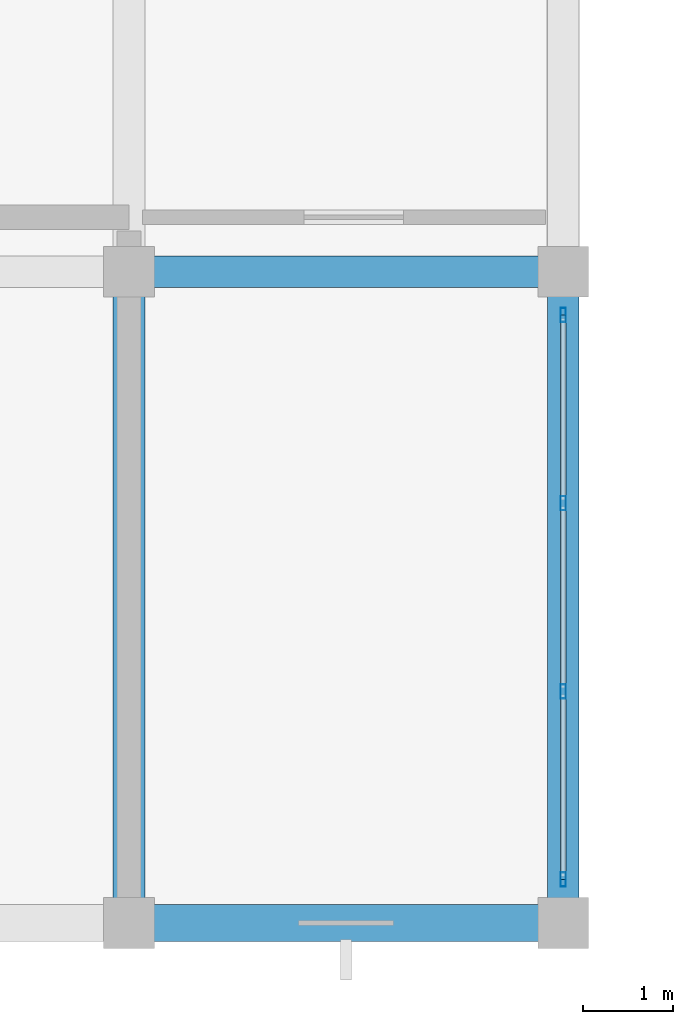
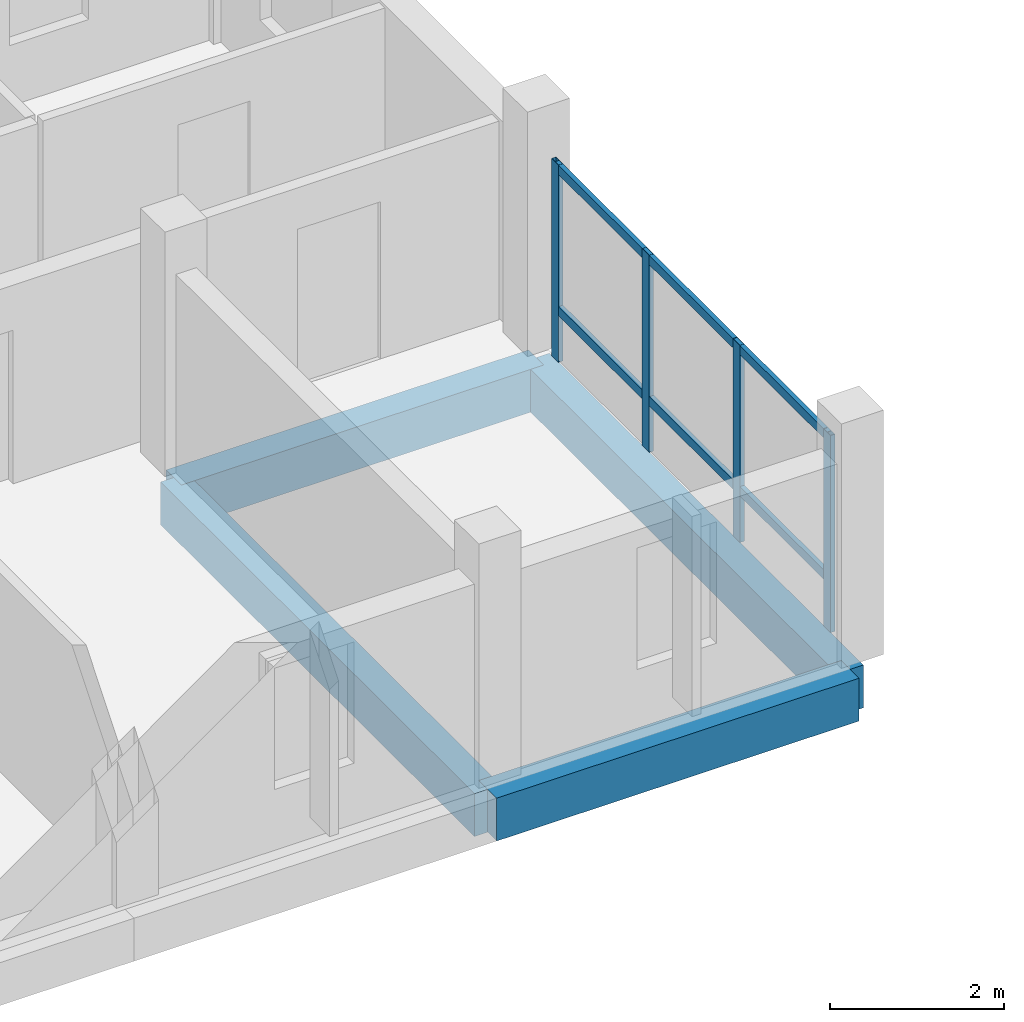
# One storey, part 11 of 66: 6 members, 4 beams, 1 element without a shape of its own.
"""IFC4 building model written with IfcOpenShell, lengths in metres."""

from ifc_helpers import new_model, si_unit, direction, frame, origin, origin_2d, place, context, subcontext, project, spatial, rectangle, hollow_rectangle, extrude, material, material_profile, profile_set, type_object, element, aggregate, save


model = new_model("IFC4")

# Units and contexts
model_context = context("Model", 3, precision=1e-05, world=origin(), true_north=direction((0.0, 1.0)))
body_context = subcontext(model_context, "Body", "Model", "MODEL_VIEW")
ifc_project = project(units=[si_unit("LENGTHUNIT", "METRE"), si_unit("AREAUNIT", "SQUARE_METRE"), si_unit("VOLUMEUNIT", "CUBIC_METRE"), si_unit("PLANEANGLEUNIT", "RADIAN"), si_unit("MASSUNIT", "GRAM", prefix="KILO")], contexts=[model_context])

# Site, building, storey
site_placement = place(None, origin())
site = spatial("IfcSite", under=ifc_project, at=site_placement, CompositionType="ELEMENT")
building_placement = place(site_placement, origin())
building = spatial("IfcBuilding", under=site, at=building_placement, Name="Zornivar Specialist Clinic", CompositionType="ELEMENT")
storey_placement = place(building_placement, frame((0.0, 0.0, 16.0)))
storey = spatial("IfcBuildingStorey", under=building, at=storey_placement, Name="L04", CompositionType="ELEMENT", Elevation=16.0)

# Beams
ifc_material_1 = material(Name="Concrete C30/37", Category="concrete")
ifc_material_profile_1 = material_profile(ifc_material_1, rectangle(XDim=0.35009765625, YDim=0.60009765625, at=origin_2d()), Name="RC 350x600")
ifc_profile_set_1 = profile_set([ifc_material_profile_1], Name="Concrete C30/37")
beam_type_1 = type_object("IfcBeamType", Name="BM-RC-350x600", PredefinedType="BEAM", material=ifc_profile_set_1)
beam_1_placement = place(storey_placement, frame((33.60009765625, 7.199951171875, -0.580078125), z_axis=(1.0, 0.0, 0.0), x_axis=(0.0, 1.0, 0.0)))
element("IfcBeam", 1, at=beam_1_placement, inside=storey, type_object=beam_type_1, Name="bm:V2:L04:x:72:5", PredefinedType="BEAM", context=body_context, shape_type="SweptSolid", body=[
    extrude(rectangle(XDim=0.35009765625, YDim=0.60009765625, at=origin_2d()), origin(), (0.0, 0.0, 1.0), 4.7998046875),
])
for number, where, z_axis, x_axis, name in (
    (2, (33.60009765625, 0.0, -0.580078125), (0.0, 1.0, 0.0), (-1.0, 0.0, 0.0), "bm:V2:L04:y:336:0"),
    (3, (38.39990234375, 0.0, -0.580078125), (0.0, 1.0, 0.0), (-1.0, 0.0, 0.0), "bm:V2:L04:y:384:0"),
):
    element("IfcBeam", number, at=place(storey_placement, frame(where, z_axis=z_axis, x_axis=x_axis)), inside=storey, type_object=beam_type_1, Name=name, PredefinedType="BEAM", context=body_context, shape_type="SweptSolid", body=[
        extrude(rectangle(XDim=0.35009765625, YDim=0.60009765625, at=origin_2d()), origin(), (0.0, 0.0, 1.0), 7.199951171875),
    ])
ifc_material_2 = material(Name="Concrete C30/37", Category="concrete")
ifc_material_profile_2 = material_profile(ifc_material_2, rectangle(XDim=0.409912109375, YDim=0.60009765625, at=origin_2d()), Name="RC 410x600")
ifc_profile_set_2 = profile_set([ifc_material_profile_2], Name="Concrete C30/37")
beam_type_2 = type_object("IfcBeamType", Name="BM-RC-SPANDREL-410x600", PredefinedType="SPANDREL", material=ifc_profile_set_2)
beam_2_placement = place(storey_placement, frame((33.60009765625, 0.0, -0.580078125), z_axis=(1.0, 0.0, 0.0), x_axis=(0.0, 1.0, 0.0)))
element("IfcBeam", 4, at=beam_2_placement, inside=storey, type_object=beam_type_2, Name="bm:V2:L04:x:0:5", PredefinedType="SPANDREL", context=body_context, shape_type="SweptSolid", body=[
    extrude(rectangle(XDim=0.409912109375, YDim=0.60009765625, at=origin_2d()), origin(), (0.0, 0.0, 1.0), 4.7998046875),
])

# Curtain wall, members
ifc_material_3 = material(Name="Aluminium and Low-E Glass Curtain Wall", Category="aluminium")
curtain_wall_type = type_object("IfcCurtainWallType", Name="CW-REVAK-COURT", PredefinedType="NOTDEFINED", material=ifc_material_3)
curtain_wall_placement = place(storey_placement, origin())
curtain_wall = element("IfcCurtainWall", 5, at=curtain_wall_placement, inside=storey, type_object=curtain_wall_type, Name="cw:V2:L04:06", PredefinedType="NOTDEFINED")
ifc_material_4 = material(Name="Aluminium AW-6060", Category="aluminium")
ifc_material_profile_3 = material_profile(ifc_material_4, hollow_rectangle(XDim=0.06005859375, YDim=0.159912109375, WallThickness=0.00390625, at=origin_2d()), Name="ALU 60x160x4")
ifc_profile_set_3 = profile_set([ifc_material_profile_3], Name="Aluminium AW-6060")
member_type_1 = type_object("IfcMemberType", Name="CWM-MUL-160", PredefinedType="MULLION", material=ifc_profile_set_3)
member_1_placement = place(storey_placement, frame((38.39990234375, 0.47998046875, 0.0), z_axis=(0.0, 0.0, 1.0), x_axis=(1.0, 0.0, 0.0)))
member_1 = element("IfcMember", 6, at=member_1_placement, type_object=member_type_1, Name="cw:V2:L04:06:mul:0", PredefinedType="MULLION", context=body_context, shape_type="SweptSolid", body=[
    extrude(hollow_rectangle(XDim=0.06005859375, YDim=0.159912109375, WallThickness=0.00390625, at=origin_2d()), origin(), (0.0, 0.0, 1.0), 2.760009765625),
])
member_2_placement = place(storey_placement, frame((38.39990234375, 2.56005859375, 0.0), z_axis=(0.0, 0.0, 1.0), x_axis=(1.0, 0.0, 0.0)))
member_2 = element("IfcMember", 7, at=member_2_placement, type_object=member_type_1, Name="cw:V2:L04:06:mul:1", PredefinedType="MULLION", context=body_context, shape_type="SweptSolid", body=[
    extrude(hollow_rectangle(XDim=0.06005859375, YDim=0.159912109375, WallThickness=0.00390625, at=origin_2d()), origin(), (0.0, 0.0, 1.0), 2.760009765625),
])
member_3_placement = place(storey_placement, frame((38.39990234375, 4.639892578125, 0.0), z_axis=(0.0, 0.0, 1.0), x_axis=(1.0, 0.0, 0.0)))
member_3 = element("IfcMember", 8, at=member_3_placement, type_object=member_type_1, Name="cw:V2:L04:06:mul:2", PredefinedType="MULLION", context=body_context, shape_type="SweptSolid", body=[
    extrude(hollow_rectangle(XDim=0.06005859375, YDim=0.159912109375, WallThickness=0.00390625, at=origin_2d()), origin(), (0.0, 0.0, 1.0), 2.760009765625),
])
member_4_placement = place(storey_placement, frame((38.39990234375, 6.719970703125, 0.0), z_axis=(0.0, 0.0, 1.0), x_axis=(1.0, 0.0, 0.0)))
member_4 = element("IfcMember", 9, at=member_4_placement, type_object=member_type_1, Name="cw:V2:L04:06:mul:3", PredefinedType="MULLION", context=body_context, shape_type="SweptSolid", body=[
    extrude(hollow_rectangle(XDim=0.06005859375, YDim=0.159912109375, WallThickness=0.00390625, at=origin_2d()), origin(), (0.0, 0.0, 1.0), 2.760009765625),
])
ifc_material_5 = material(Name="Aluminium AW-6060", Category="aluminium")
ifc_material_profile_4 = material_profile(ifc_material_5, hollow_rectangle(XDim=0.06005859375, YDim=0.1298828125, WallThickness=0.00390625, at=origin_2d()), Name="ALU 60x130x4")
ifc_profile_set_4 = profile_set([ifc_material_profile_4], Name="Aluminium AW-6060")
member_type_2 = type_object("IfcMemberType", Name="CWM-TRN-130", PredefinedType="USERDEFINED", material=ifc_profile_set_4)
member_5_placement = place(storey_placement, frame((38.39990234375, 0.47998046875, 0.718017578125), z_axis=(0.0, 1.0, 0.0), x_axis=(-1.0, 0.0, 0.0)))
member_5 = element("IfcMember", 10, at=member_5_placement, type_object=member_type_2, Name="cw:V2:L04:06:trn:0", ObjectType="TRANSOM", PredefinedType="USERDEFINED", context=body_context, shape_type="SweptSolid", body=[
    extrude(hollow_rectangle(XDim=0.06005859375, YDim=0.1298828125, WallThickness=0.00390625, at=origin_2d()), origin(), (0.0, 0.0, 1.0), 6.239990234375),
])
member_6_placement = place(storey_placement, frame((38.39990234375, 0.47998046875, 2.695068359375), z_axis=(0.0, 1.0, 0.0), x_axis=(-1.0, 0.0, 0.0)))
member_6 = element("IfcMember", 11, at=member_6_placement, type_object=member_type_2, Name="cw:V2:L04:06:trn:1", ObjectType="TRANSOM", PredefinedType="USERDEFINED", context=body_context, shape_type="SweptSolid", body=[
    extrude(hollow_rectangle(XDim=0.06005859375, YDim=0.1298828125, WallThickness=0.00390625, at=origin_2d()), origin(), (0.0, 0.0, 1.0), 6.239990234375),
])
aggregate(curtain_wall, [member_1, member_2, member_3, member_4, member_5, member_6])

save(model, "model.ifc")
